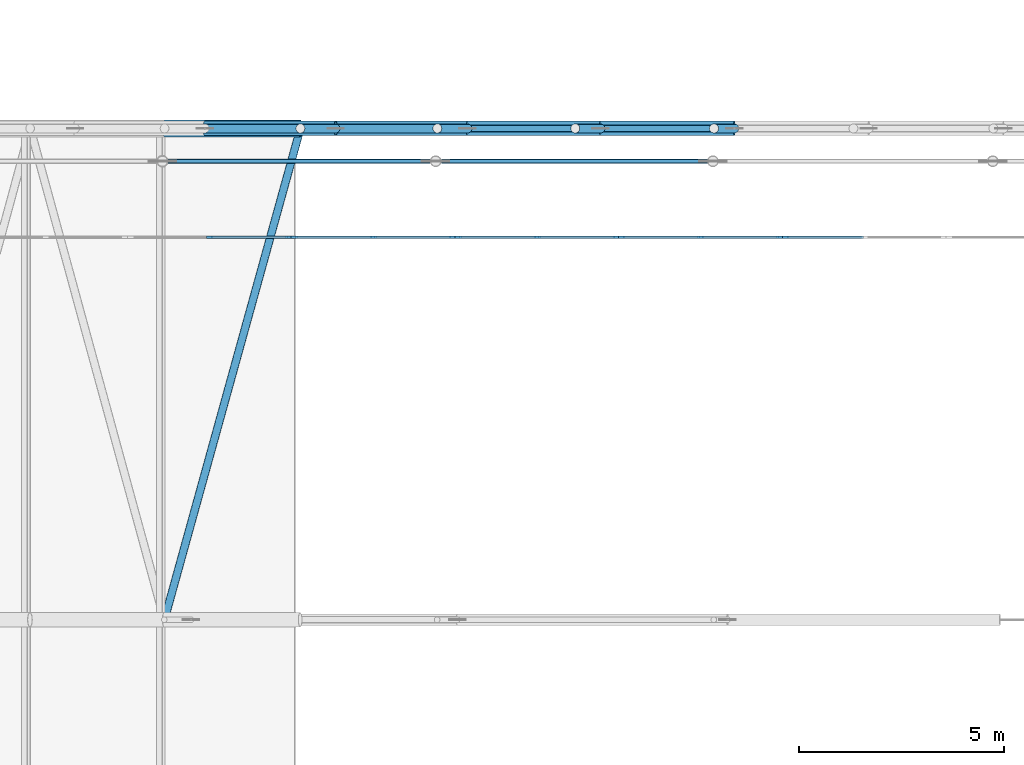
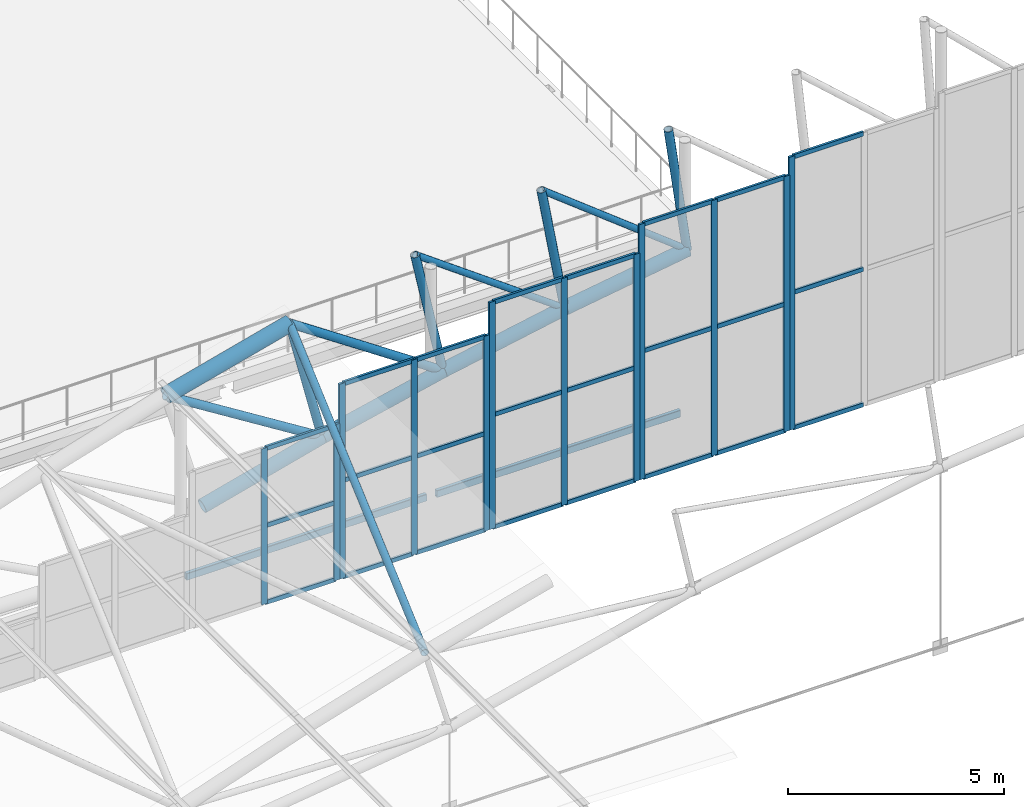
# One storey, part 177 of 321: 52 members, 5 elements without a shape of their own.
"""IFC4 building model written with IfcOpenShell, lengths in metres."""

from ifc_helpers import new_model, si_unit, direction, frame, origin, origin_2d, place, context, subcontext, project, spatial, rectangle, hollow_rectangle, hollow_circle, extrude, material, layer, layer_set, material_profile, profile_set, type_object, element, aggregate, save


model = new_model("IFC4")

# Units and contexts
model_context = context("Model", 3, precision=1e-05, world=origin(), true_north=direction((0.0, 1.0)))
body_context = subcontext(model_context, "Body", "Model", "MODEL_VIEW")
ifc_project = project(units=[si_unit("LENGTHUNIT", "METRE"), si_unit("AREAUNIT", "SQUARE_METRE"), si_unit("VOLUMEUNIT", "CUBIC_METRE"), si_unit("PLANEANGLEUNIT", "RADIAN"), si_unit("MASSUNIT", "GRAM", prefix="KILO")], contexts=[model_context])

# Site, building, storey
site_placement = place(None, origin())
site = spatial("IfcSite", under=ifc_project, at=site_placement, CompositionType="ELEMENT")
building_placement = place(site_placement, origin())
building = spatial("IfcBuilding", under=site, at=building_placement, Name="Ravi Spectrum Wholesale Market", CompositionType="ELEMENT")
storey_placement = place(building_placement, frame((0.0, 0.0, 10.800048828125)))
storey = spatial("IfcBuildingStorey", under=building, at=storey_placement, Name="L02", CompositionType="ELEMENT", Elevation=10.800048828125)

# Members
ifc_material_1 = material(Name="Steel S355", Category="steel")
ifc_material_profile_1 = material_profile(ifc_material_1, hollow_circle(Radius=0.084228515625, WallThickness=0.00634765625, at=origin_2d()))
ifc_profile_set_1 = profile_set([ifc_material_profile_1], Name="Steel S355")
member_type_1 = type_object("IfcMemberType", Name="CHS 168.3x6.3 brace", PredefinedType="BRACE", material=ifc_profile_set_1)
for number, where, z_axis, x_axis, name in (
    (1, (49.563720703125, 198.0, 6.27734375), (0.808703958366, 0.0, -0.588215868303), (0.0, 1.0, 0.0), "H1-MB-L02-1211"),
    (2, (52.9326171875, 198.0, 6.92431640625), (0.787944778548, 0.0, -0.615745910225), (0.0, 1.0, 0.0), "H1-MB-L02-1212"),
):
    element("IfcMember", number, at=place(storey_placement, frame(where, z_axis=z_axis, x_axis=x_axis)), inside=storey, type_object=member_type_1, Name=name, PredefinedType="BRACE", context=body_context, shape_type="SweptSolid", body=[
        extrude(hollow_circle(Radius=0.084228515625, WallThickness=0.00634765625, at=origin_2d()), origin(), (0.0, 0.0, 1.0), 4.9296875),
    ])
ifc_material_2 = material(Name="Steel S355", Category="steel")
ifc_material_profile_2 = material_profile(ifc_material_2, hollow_circle(Radius=0.096923828125, WallThickness=0.00634765625, at=origin_2d()))
ifc_profile_set_2 = profile_set([ifc_material_profile_2], Name="Steel S355")
member_type_2 = type_object("IfcMemberType", Name="CHS 193.7x6.3 brace", PredefinedType="BRACE", material=ifc_profile_set_2)
member_1_placement = place(storey_placement, frame((42.896240234375, 186.0, 4.661376953125), z_axis=(0.26624914117, 0.961478053543, 0.068347255841), x_axis=(-0.963731651121, 0.266873199532, 0.0)))
element("IfcMember", 3, at=member_1_placement, inside=storey, type_object=member_type_2, Name="H1-MB-L02-1708", PredefinedType="BRACE", context=body_context, shape_type="SweptSolid", body=[
    extrude(hollow_circle(Radius=0.096923828125, WallThickness=0.00634765625, at=origin_2d()), origin(), (0.0, 0.0, 1.0), 12.480712890625),
])
ifc_material_3 = material(Name="Steel S355", Category="steel")
ifc_material_profile_3 = material_profile(ifc_material_3, hollow_circle(Radius=0.109619140625, WallThickness=0.008056640625, at=origin_2d()))
ifc_profile_set_3 = profile_set([ifc_material_profile_3], Name="Steel S355")
member_type_3 = type_object("IfcMemberType", Name="CHS 219.1x8 brace", PredefinedType="BRACE", material=ifc_profile_set_3)
for number, where, z_axis, x_axis, name in (
    (4, (42.903076171875, 198.0, 4.63671875), (0.847368909482, 0.0, -0.531004643335), (0.0, 1.0, 0.0), "H1-MB-L02-1209"),
    (5, (46.21923828125, 198.0, 5.514404296875), (0.828544259915, 0.0, -0.559923574573), (0.0, 1.0, 0.0), "H1-MB-L02-1210"),
):
    element("IfcMember", number, at=place(storey_placement, frame(where, z_axis=z_axis, x_axis=x_axis)), inside=storey, type_object=member_type_3, Name=name, PredefinedType="BRACE", context=body_context, shape_type="SweptSolid", body=[
        extrude(hollow_circle(Radius=0.109619140625, WallThickness=0.008056640625, at=origin_2d()), origin(), (0.0, 0.0, 1.0), 4.9296875),
    ])
ifc_material_4 = material(Name="Steel S355", Category="steel")
ifc_material_profile_4 = material_profile(ifc_material_4, hollow_circle(Radius=0.109619140625, WallThickness=0.008056640625, at=origin_2d()))
ifc_profile_set_4 = profile_set([ifc_material_profile_4], Name="Steel S355")
member_type_4 = type_object("IfcMemberType", Name="CHS 219.1x8 post", PredefinedType="POST", material=ifc_profile_set_4)
member_2_placement = place(storey_placement, frame((46.21923828125, 198.0, 5.514404296875), z_axis=(0.239199072456, 0.0, -0.970970547306), x_axis=(0.0, 1.0, 0.0)))
element("IfcMember", 6, at=member_2_placement, inside=storey, type_object=member_type_4, Name="H1-MB-L02-1187", PredefinedType="POST", context=body_context, shape_type="SweptSolid", body=[
    extrude(hollow_circle(Radius=0.109619140625, WallThickness=0.008056640625, at=origin_2d()), origin(), (0.0, 0.0, 1.0), 3.599853515625),
])
for number, where, z_axis, x_axis, name in (
    (7, (49.563720703125, 198.0, 6.27734375), (0.205549060287, 0.0, -0.978646812602), (0.0, 1.0, 0.0), "H1-MB-L02-1188"),
    (8, (52.9326171875, 198.0, 6.92431640625), (0.171575852457, 0.0, -0.985170912509), (0.0, 1.0, 0.0), "H1-MB-L02-1189"),
):
    element("IfcMember", number, at=place(storey_placement, frame(where, z_axis=z_axis, x_axis=x_axis)), inside=storey, type_object=member_type_4, Name=name, PredefinedType="POST", context=body_context, shape_type="SweptSolid", body=[
        extrude(hollow_circle(Radius=0.109619140625, WallThickness=0.008056640625, at=origin_2d()), origin(), (0.0, 0.0, 1.0), 3.60009765625),
    ])
member_3_placement = place(storey_placement, frame((56.321533203125, 198.0, 7.45458984375), z_axis=(0.137603486835, 0.0, -0.990487395382), x_axis=(0.0, 1.0, 0.0)))
element("IfcMember", 9, at=member_3_placement, inside=storey, type_object=member_type_4, Name="H1-MB-L02-1190", PredefinedType="POST", context=body_context, shape_type="SweptSolid", body=[
    extrude(hollow_circle(Radius=0.109619140625, WallThickness=0.008056640625, at=origin_2d()), origin(), (0.0, 0.0, 1.0), 3.599853515625),
])
ifc_material_5 = material(Name="Steel S355", Category="steel")
ifc_material_profile_5 = material_profile(ifc_material_5, hollow_circle(Radius=0.177734375, WallThickness=0.012451171875, at=origin_2d()))
ifc_profile_set_5 = profile_set([ifc_material_profile_5], Name="Steel S355")
member_type_5 = type_object("IfcMemberType", Name="CHS 355.6x12.5 chord", PredefinedType="CHORD", material=ifc_profile_set_5)
for number, where, z_axis, x_axis, name in (
    (10, (43.88427734375, 198.0, 1.173095703125), (0.966710063159, 0.0, 0.255874292938), (0.0, 1.0, 0.0), "H1-MB-L02-1163"),
    (11, (47.080322265625, 198.0, 2.01904296875), (0.974967923727, 0.0, 0.222345559217), (0.0, 1.0, 0.0), "H1-MB-L02-1164"),
):
    element("IfcMember", number, at=place(storey_placement, frame(where, z_axis=z_axis, x_axis=x_axis)), inside=storey, type_object=member_type_5, Name=name, PredefinedType="CHORD", context=body_context, shape_type="SweptSolid", body=[
        extrude(hollow_circle(Radius=0.177734375, WallThickness=0.012451171875, at=origin_2d()), origin(), (0.0, 0.0, 1.0), 3.30615234375),
    ])
member_4_placement = place(storey_placement, frame((50.3037109375, 198.0, 2.754150390625), z_axis=(0.982051718756, 0.0, 0.188611828072), x_axis=(0.0, 1.0, 0.0)))
element("IfcMember", 12, at=member_4_placement, inside=storey, type_object=member_type_5, Name="H1-MB-L02-1165", PredefinedType="CHORD", context=body_context, shape_type="SweptSolid", body=[
    extrude(hollow_circle(Radius=0.177734375, WallThickness=0.012451171875, at=origin_2d()), origin(), (0.0, 0.0, 1.0), 3.305908203125),
])
member_5_placement = place(storey_placement, frame((53.55029296875, 198.0, 3.377685546875), z_axis=(0.987973992944, 0.0, 0.154620145084), x_axis=(0.0, 1.0, 0.0)))
element("IfcMember", 13, at=member_5_placement, inside=storey, type_object=member_type_5, Name="H1-MB-L02-1166", PredefinedType="CHORD", context=body_context, shape_type="SweptSolid", body=[
    extrude(hollow_circle(Radius=0.177734375, WallThickness=0.012451171875, at=origin_2d()), origin(), (0.0, 0.0, 1.0), 3.306396484375),
])
ifc_material_6 = material(Name="Steel S355", Category="steel")
ifc_material_profile_6 = material_profile(ifc_material_6, hollow_circle(Radius=0.203125, WallThickness=0.01611328125, at=origin_2d()))
ifc_profile_set_6 = profile_set([ifc_material_profile_6], Name="Steel S355")
member_type_6 = type_object("IfcMemberType", Name="CHS 406.4x16 chord", PredefinedType="CHORD", material=ifc_profile_set_6)
member_6_placement = place(storey_placement, frame((42.903076171875, 198.0, 4.63671875), z_axis=(0.966714030155, 0.0, 0.255859304896), x_axis=(0.0, 1.0, 0.0)))
element("IfcMember", 14, at=member_6_placement, inside=storey, type_object=member_type_6, Name="H1-MB-L02-1139", PredefinedType="CHORD", context=body_context, shape_type="SweptSolid", body=[
    extrude(hollow_circle(Radius=0.203125, WallThickness=0.01611328125, at=origin_2d()), origin(), (0.0, 0.0, 1.0), 3.430419921875),
])

# Curtain wall, members
ifc_material_7 = material(Name="Aluminium 6063-T6", Category="aluminium")
ifc_layer = layer(ifc_material_7, 0.14990234375)
ifc_layer_set = layer_set([ifc_layer], Name="Aluminium 6063-T6")
curtain_wall_type = type_object("IfcCurtainWallType", Name="Curtain wall 150", PredefinedType="NOTDEFINED", material=ifc_layer_set)
curtain_wall_1_placement = place(storey_placement, origin())
curtain_wall_1 = element("IfcCurtainWall", 15, at=curtain_wall_1_placement, inside=storey, type_object=curtain_wall_type, Name="H1-CW-L02-003", PredefinedType="NOTDEFINED")
ifc_material_8 = material(Name="Aluminium 6063-T6", Category="aluminium")
ifc_material_profile_7 = material_profile(ifc_material_8, rectangle(XDim=0.06005859375, YDim=0.159912109375, at=origin_2d()))
ifc_profile_set_7 = profile_set([ifc_material_profile_7], Name="Aluminium 6063-T6")
member_type_7 = type_object("IfcMemberType", Name="Mullion 60 x 160", PredefinedType="MULLION", material=ifc_profile_set_7)
member_7_placement = place(storey_placement, frame((44.0, 195.340087890625, 0.0), z_axis=(0.0, 0.0, 1.0), x_axis=(0.0, 1.0, 0.0)))
member_7 = element("IfcMember", 16, at=member_7_placement, type_object=member_type_7, Name="H1-CW-L02-003 mullion 2", PredefinedType="MULLION", context=body_context, shape_type="SweptSolid", body=[
    extrude(rectangle(XDim=0.06005859375, YDim=0.159912109375, at=origin_2d()), origin(), (0.0, 0.0, 1.0), 4.39990234375),
])
member_8_placement = place(storey_placement, frame((45.929931640625, 195.340087890625, 0.0), z_axis=(0.0, 0.0, 1.0), x_axis=(0.0, 1.0, 0.0)))
member_8 = element("IfcMember", 17, at=member_8_placement, type_object=member_type_7, Name="H1-CW-L02-003 mullion 3", PredefinedType="MULLION", context=body_context, shape_type="SweptSolid", body=[
    extrude(rectangle(XDim=0.06005859375, YDim=0.159912109375, at=origin_2d()), origin(), (0.0, 0.0, 1.0), 4.39990234375),
])

curtain_wall_2_placement = place(storey_placement, origin())
curtain_wall_2 = element("IfcCurtainWall", 18, at=curtain_wall_2_placement, inside=storey, type_object=curtain_wall_type, Name="H1-CW-L02-004", PredefinedType="NOTDEFINED")
member_9_placement = place(storey_placement, frame((46.070068359375, 195.340087890625, 0.0), z_axis=(0.0, 0.0, 1.0), x_axis=(0.0, 1.0, 0.0)))
member_9 = element("IfcMember", 19, at=member_9_placement, type_object=member_type_7, Name="H1-CW-L02-004 mullion 1", PredefinedType="MULLION", context=body_context, shape_type="SweptSolid", body=[
    extrude(rectangle(XDim=0.06005859375, YDim=0.159912109375, at=origin_2d()), origin(), (0.0, 0.0, 1.0), 5.5),
])
member_10_placement = place(storey_placement, frame((48.0, 195.340087890625, 0.0), z_axis=(0.0, 0.0, 1.0), x_axis=(0.0, 1.0, 0.0)))
member_10 = element("IfcMember", 20, at=member_10_placement, type_object=member_type_7, Name="H1-CW-L02-004 mullion 2", PredefinedType="MULLION", context=body_context, shape_type="SweptSolid", body=[
    extrude(rectangle(XDim=0.06005859375, YDim=0.159912109375, at=origin_2d()), origin(), (0.0, 0.0, 1.0), 5.5),
])
member_11_placement = place(storey_placement, frame((49.929931640625, 195.340087890625, 0.0), z_axis=(0.0, 0.0, 1.0), x_axis=(0.0, 1.0, 0.0)))
member_11 = element("IfcMember", 21, at=member_11_placement, type_object=member_type_7, Name="H1-CW-L02-004 mullion 3", PredefinedType="MULLION", context=body_context, shape_type="SweptSolid", body=[
    extrude(rectangle(XDim=0.06005859375, YDim=0.159912109375, at=origin_2d()), origin(), (0.0, 0.0, 1.0), 5.5),
])

curtain_wall_3_placement = place(storey_placement, origin())
curtain_wall_3 = element("IfcCurtainWall", 22, at=curtain_wall_3_placement, inside=storey, type_object=curtain_wall_type, Name="H1-CW-L02-005", PredefinedType="NOTDEFINED")
member_12_placement = place(storey_placement, frame((50.070068359375, 195.340087890625, 0.0), z_axis=(0.0, 0.0, 1.0), x_axis=(0.0, 1.0, 0.0)))
member_12 = element("IfcMember", 23, at=member_12_placement, type_object=member_type_7, Name="H1-CW-L02-005 mullion 1", PredefinedType="MULLION", context=body_context, shape_type="SweptSolid", body=[
    extrude(rectangle(XDim=0.06005859375, YDim=0.159912109375, at=origin_2d()), origin(), (0.0, 0.0, 1.0), 6.39990234375),
])
member_13_placement = place(storey_placement, frame((52.0, 195.340087890625, 0.0), z_axis=(0.0, 0.0, 1.0), x_axis=(0.0, 1.0, 0.0)))
member_13 = element("IfcMember", 24, at=member_13_placement, type_object=member_type_7, Name="H1-CW-L02-005 mullion 2", PredefinedType="MULLION", context=body_context, shape_type="SweptSolid", body=[
    extrude(rectangle(XDim=0.06005859375, YDim=0.159912109375, at=origin_2d()), origin(), (0.0, 0.0, 1.0), 6.39990234375),
])
member_14_placement = place(storey_placement, frame((53.929931640625, 195.340087890625, 0.0), z_axis=(0.0, 0.0, 1.0), x_axis=(0.0, 1.0, 0.0)))
member_14 = element("IfcMember", 25, at=member_14_placement, type_object=member_type_7, Name="H1-CW-L02-005 mullion 3", PredefinedType="MULLION", context=body_context, shape_type="SweptSolid", body=[
    extrude(rectangle(XDim=0.06005859375, YDim=0.159912109375, at=origin_2d()), origin(), (0.0, 0.0, 1.0), 6.39990234375),
])

curtain_wall_4_placement = place(storey_placement, origin())
curtain_wall_4 = element("IfcCurtainWall", 26, at=curtain_wall_4_placement, inside=storey, type_object=curtain_wall_type, Name="H1-CW-L02-006", PredefinedType="NOTDEFINED")
member_15_placement = place(storey_placement, frame((54.070068359375, 195.340087890625, 0.0), z_axis=(0.0, 0.0, 1.0), x_axis=(0.0, 1.0, 0.0)))
member_15 = element("IfcMember", 27, at=member_15_placement, type_object=member_type_7, Name="H1-CW-L02-006 mullion 1", PredefinedType="MULLION", context=body_context, shape_type="SweptSolid", body=[
    extrude(rectangle(XDim=0.06005859375, YDim=0.159912109375, at=origin_2d()), origin(), (0.0, 0.0, 1.0), 7.199951171875),
])
member_16_placement = place(storey_placement, frame((56.0, 195.340087890625, 0.0), z_axis=(0.0, 0.0, 1.0), x_axis=(0.0, 1.0, 0.0)))
member_16 = element("IfcMember", 28, at=member_16_placement, type_object=member_type_7, Name="H1-CW-L02-006 mullion 2", PredefinedType="MULLION", context=body_context, shape_type="SweptSolid", body=[
    extrude(rectangle(XDim=0.06005859375, YDim=0.159912109375, at=origin_2d()), origin(), (0.0, 0.0, 1.0), 7.199951171875),
])
member_17_placement = place(storey_placement, frame((57.929931640625, 195.340087890625, 0.0), z_axis=(0.0, 0.0, 1.0), x_axis=(0.0, 1.0, 0.0)))
member_17 = element("IfcMember", 29, at=member_17_placement, type_object=member_type_7, Name="H1-CW-L02-006 mullion 3", PredefinedType="MULLION", context=body_context, shape_type="SweptSolid", body=[
    extrude(rectangle(XDim=0.06005859375, YDim=0.159912109375, at=origin_2d()), origin(), (0.0, 0.0, 1.0), 7.199951171875),
])

# Curtain wall, member
curtain_wall_5_placement = place(storey_placement, origin())
curtain_wall_5 = element("IfcCurtainWall", 30, at=curtain_wall_5_placement, inside=storey, type_object=curtain_wall_type, Name="H1-CW-L02-007", PredefinedType="NOTDEFINED")
member_18_placement = place(storey_placement, frame((58.070068359375, 195.340087890625, 0.0), z_axis=(0.0, 0.0, 1.0), x_axis=(0.0, 1.0, 0.0)))
member_18 = element("IfcMember", 31, at=member_18_placement, type_object=member_type_7, Name="H1-CW-L02-007 mullion 1", PredefinedType="MULLION", context=body_context, shape_type="SweptSolid", body=[
    extrude(rectangle(XDim=0.06005859375, YDim=0.159912109375, at=origin_2d()), origin(), (0.0, 0.0, 1.0), 7.699951171875),
])

# Members
ifc_material_9 = material(Name="Steel S355", Category="steel")
ifc_material_profile_8 = material_profile(ifc_material_9, hollow_rectangle(XDim=0.10009765625, YDim=0.199951171875, WallThickness=0.00634765625, InnerFilletRadius=0.00634765625, OuterFilletRadius=0.0126953125, at=origin_2d()))
ifc_profile_set_8 = profile_set([ifc_material_profile_8], Name="Steel S355")
member_type_8 = type_object("IfcMemberType", Name="RHS 200x100x6.3 strut", PredefinedType="STRUT", material=ifc_profile_set_8)
member_19_placement = place(storey_placement, frame((42.984375, 197.199951171875, 0.0), z_axis=(1.0, 0.0, 0.0), x_axis=(0.0, 1.0, 0.0)))
element("IfcMember", 32, at=member_19_placement, inside=storey, type_object=member_type_8, Name="H1-MB-L02-1754", PredefinedType="STRUT", context=body_context, shape_type="SweptSolid", body=[
    extrude(hollow_rectangle(XDim=0.10009765625, YDim=0.199951171875, WallThickness=0.00634765625, InnerFilletRadius=0.00634765625, OuterFilletRadius=0.0126953125, at=origin_2d()), origin(), (0.0, 0.0, 1.0), 6.401123046875),
])
member_20_placement = place(storey_placement, frame((49.658447265625, 197.199951171875, 0.0), z_axis=(1.0, 0.0, 0.0), x_axis=(0.0, 1.0, 0.0)))
element("IfcMember", 33, at=member_20_placement, inside=storey, type_object=member_type_8, Name="H1-MB-L02-1755", PredefinedType="STRUT", context=body_context, shape_type="SweptSolid", body=[
    extrude(hollow_rectangle(XDim=0.10009765625, YDim=0.199951171875, WallThickness=0.00634765625, InnerFilletRadius=0.00634765625, OuterFilletRadius=0.0126953125, at=origin_2d()), origin(), (0.0, 0.0, 1.0), 6.498779296875),
])

# Member
ifc_material_10 = material(Name="Aluminium 6063-T6", Category="aluminium")
ifc_material_profile_9 = material_profile(ifc_material_10, rectangle(XDim=0.06005859375, YDim=0.1201171875, at=origin_2d()))
ifc_profile_set_9 = profile_set([ifc_material_profile_9], Name="Aluminium 6063-T6")
member_type_9 = type_object("IfcMemberType", Name="Transom 60 x 120", PredefinedType="USERDEFINED", material=ifc_profile_set_9)
member_21_placement = place(storey_placement, frame((44.030029296875, 195.340087890625, 0.030029296875), z_axis=(1.0, 0.0, 0.0), x_axis=(0.0, 1.0, 0.0)))
member_21 = element("IfcMember", 34, at=member_21_placement, type_object=member_type_9, Name="H1-CW-L02-003 transom 2.1", ObjectType="TRANSOM", PredefinedType="USERDEFINED", context=body_context, shape_type="SweptSolid", body=[
    extrude(rectangle(XDim=0.06005859375, YDim=0.1201171875, at=origin_2d()), origin(), (0.0, 0.0, 1.0), 1.869873046875),
])

member_22_placement = place(storey_placement, frame((44.030029296875, 195.340087890625, 2.199951171875), z_axis=(1.0, 0.0, 0.0), x_axis=(0.0, 1.0, 0.0)))
member_22 = element("IfcMember", 35, at=member_22_placement, type_object=member_type_9, Name="H1-CW-L02-003 transom 2.2", ObjectType="TRANSOM", PredefinedType="USERDEFINED", context=body_context, shape_type="SweptSolid", body=[
    extrude(rectangle(XDim=0.06005859375, YDim=0.1201171875, at=origin_2d()), origin(), (0.0, 0.0, 1.0), 1.869873046875),
])

member_23_placement = place(storey_placement, frame((44.030029296875, 195.340087890625, 4.369873046875), z_axis=(1.0, 0.0, 0.0), x_axis=(0.0, 1.0, 0.0)))
member_23 = element("IfcMember", 36, at=member_23_placement, type_object=member_type_9, Name="H1-CW-L02-003 transom 2.3", ObjectType="TRANSOM", PredefinedType="USERDEFINED", context=body_context, shape_type="SweptSolid", body=[
    extrude(rectangle(XDim=0.06005859375, YDim=0.1201171875, at=origin_2d()), origin(), (0.0, 0.0, 1.0), 1.869873046875),
])

aggregate(curtain_wall_1, [member_7, member_8, member_21, member_22, member_23])

member_24_placement = place(storey_placement, frame((46.10009765625, 195.340087890625, 0.030029296875), z_axis=(1.0, 0.0, 0.0), x_axis=(0.0, 1.0, 0.0)))
member_24 = element("IfcMember", 37, at=member_24_placement, type_object=member_type_9, Name="H1-CW-L02-004 transom 1.1", ObjectType="TRANSOM", PredefinedType="USERDEFINED", context=body_context, shape_type="SweptSolid", body=[
    extrude(rectangle(XDim=0.06005859375, YDim=0.1201171875, at=origin_2d()), origin(), (0.0, 0.0, 1.0), 1.869873046875),
])

member_25_placement = place(storey_placement, frame((46.10009765625, 195.340087890625, 2.75), z_axis=(1.0, 0.0, 0.0), x_axis=(0.0, 1.0, 0.0)))
member_25 = element("IfcMember", 38, at=member_25_placement, type_object=member_type_9, Name="H1-CW-L02-004 transom 1.2", ObjectType="TRANSOM", PredefinedType="USERDEFINED", context=body_context, shape_type="SweptSolid", body=[
    extrude(rectangle(XDim=0.06005859375, YDim=0.1201171875, at=origin_2d()), origin(), (0.0, 0.0, 1.0), 1.869873046875),
])

member_26_placement = place(storey_placement, frame((46.10009765625, 195.340087890625, 5.469970703125), z_axis=(1.0, 0.0, 0.0), x_axis=(0.0, 1.0, 0.0)))
member_26 = element("IfcMember", 39, at=member_26_placement, type_object=member_type_9, Name="H1-CW-L02-004 transom 1.3", ObjectType="TRANSOM", PredefinedType="USERDEFINED", context=body_context, shape_type="SweptSolid", body=[
    extrude(rectangle(XDim=0.06005859375, YDim=0.1201171875, at=origin_2d()), origin(), (0.0, 0.0, 1.0), 1.869873046875),
])

member_27_placement = place(storey_placement, frame((48.030029296875, 195.340087890625, 0.030029296875), z_axis=(1.0, 0.0, 0.0), x_axis=(0.0, 1.0, 0.0)))
member_27 = element("IfcMember", 40, at=member_27_placement, type_object=member_type_9, Name="H1-CW-L02-004 transom 2.1", ObjectType="TRANSOM", PredefinedType="USERDEFINED", context=body_context, shape_type="SweptSolid", body=[
    extrude(rectangle(XDim=0.06005859375, YDim=0.1201171875, at=origin_2d()), origin(), (0.0, 0.0, 1.0), 1.869873046875),
])

member_28_placement = place(storey_placement, frame((48.030029296875, 195.340087890625, 2.75), z_axis=(1.0, 0.0, 0.0), x_axis=(0.0, 1.0, 0.0)))
member_28 = element("IfcMember", 41, at=member_28_placement, type_object=member_type_9, Name="H1-CW-L02-004 transom 2.2", ObjectType="TRANSOM", PredefinedType="USERDEFINED", context=body_context, shape_type="SweptSolid", body=[
    extrude(rectangle(XDim=0.06005859375, YDim=0.1201171875, at=origin_2d()), origin(), (0.0, 0.0, 1.0), 1.869873046875),
])

member_29_placement = place(storey_placement, frame((48.030029296875, 195.340087890625, 5.469970703125), z_axis=(1.0, 0.0, 0.0), x_axis=(0.0, 1.0, 0.0)))
member_29 = element("IfcMember", 42, at=member_29_placement, type_object=member_type_9, Name="H1-CW-L02-004 transom 2.3", ObjectType="TRANSOM", PredefinedType="USERDEFINED", context=body_context, shape_type="SweptSolid", body=[
    extrude(rectangle(XDim=0.06005859375, YDim=0.1201171875, at=origin_2d()), origin(), (0.0, 0.0, 1.0), 1.869873046875),
])

aggregate(curtain_wall_2, [member_9, member_10, member_11, member_24, member_25, member_26, member_27, member_28, member_29])

member_30_placement = place(storey_placement, frame((50.10009765625, 195.340087890625, 0.030029296875), z_axis=(1.0, 0.0, 0.0), x_axis=(0.0, 1.0, 0.0)))
member_30 = element("IfcMember", 43, at=member_30_placement, type_object=member_type_9, Name="H1-CW-L02-005 transom 1.1", ObjectType="TRANSOM", PredefinedType="USERDEFINED", context=body_context, shape_type="SweptSolid", body=[
    extrude(rectangle(XDim=0.06005859375, YDim=0.1201171875, at=origin_2d()), origin(), (0.0, 0.0, 1.0), 1.869873046875),
])

member_31_placement = place(storey_placement, frame((50.10009765625, 195.340087890625, 3.199951171875), z_axis=(1.0, 0.0, 0.0), x_axis=(0.0, 1.0, 0.0)))
member_31 = element("IfcMember", 44, at=member_31_placement, type_object=member_type_9, Name="H1-CW-L02-005 transom 1.2", ObjectType="TRANSOM", PredefinedType="USERDEFINED", context=body_context, shape_type="SweptSolid", body=[
    extrude(rectangle(XDim=0.06005859375, YDim=0.1201171875, at=origin_2d()), origin(), (0.0, 0.0, 1.0), 1.869873046875),
])

member_32_placement = place(storey_placement, frame((50.10009765625, 195.340087890625, 6.369873046875), z_axis=(1.0, 0.0, 0.0), x_axis=(0.0, 1.0, 0.0)))
member_32 = element("IfcMember", 45, at=member_32_placement, type_object=member_type_9, Name="H1-CW-L02-005 transom 1.3", ObjectType="TRANSOM", PredefinedType="USERDEFINED", context=body_context, shape_type="SweptSolid", body=[
    extrude(rectangle(XDim=0.06005859375, YDim=0.1201171875, at=origin_2d()), origin(), (0.0, 0.0, 1.0), 1.869873046875),
])

member_33_placement = place(storey_placement, frame((52.030029296875, 195.340087890625, 0.030029296875), z_axis=(1.0, 0.0, 0.0), x_axis=(0.0, 1.0, 0.0)))
member_33 = element("IfcMember", 46, at=member_33_placement, type_object=member_type_9, Name="H1-CW-L02-005 transom 2.1", ObjectType="TRANSOM", PredefinedType="USERDEFINED", context=body_context, shape_type="SweptSolid", body=[
    extrude(rectangle(XDim=0.06005859375, YDim=0.1201171875, at=origin_2d()), origin(), (0.0, 0.0, 1.0), 1.869873046875),
])

member_34_placement = place(storey_placement, frame((52.030029296875, 195.340087890625, 3.199951171875), z_axis=(1.0, 0.0, 0.0), x_axis=(0.0, 1.0, 0.0)))
member_34 = element("IfcMember", 47, at=member_34_placement, type_object=member_type_9, Name="H1-CW-L02-005 transom 2.2", ObjectType="TRANSOM", PredefinedType="USERDEFINED", context=body_context, shape_type="SweptSolid", body=[
    extrude(rectangle(XDim=0.06005859375, YDim=0.1201171875, at=origin_2d()), origin(), (0.0, 0.0, 1.0), 1.869873046875),
])

member_35_placement = place(storey_placement, frame((52.030029296875, 195.340087890625, 6.369873046875), z_axis=(1.0, 0.0, 0.0), x_axis=(0.0, 1.0, 0.0)))
member_35 = element("IfcMember", 48, at=member_35_placement, type_object=member_type_9, Name="H1-CW-L02-005 transom 2.3", ObjectType="TRANSOM", PredefinedType="USERDEFINED", context=body_context, shape_type="SweptSolid", body=[
    extrude(rectangle(XDim=0.06005859375, YDim=0.1201171875, at=origin_2d()), origin(), (0.0, 0.0, 1.0), 1.869873046875),
])

aggregate(curtain_wall_3, [member_12, member_13, member_14, member_30, member_31, member_32, member_33, member_34, member_35])

member_36_placement = place(storey_placement, frame((54.10009765625, 195.340087890625, 0.030029296875), z_axis=(1.0, 0.0, 0.0), x_axis=(0.0, 1.0, 0.0)))
member_36 = element("IfcMember", 49, at=member_36_placement, type_object=member_type_9, Name="H1-CW-L02-006 transom 1.1", ObjectType="TRANSOM", PredefinedType="USERDEFINED", context=body_context, shape_type="SweptSolid", body=[
    extrude(rectangle(XDim=0.06005859375, YDim=0.1201171875, at=origin_2d()), origin(), (0.0, 0.0, 1.0), 1.869873046875),
])

member_37_placement = place(storey_placement, frame((54.10009765625, 195.340087890625, 3.599853515625), z_axis=(1.0, 0.0, 0.0), x_axis=(0.0, 1.0, 0.0)))
member_37 = element("IfcMember", 50, at=member_37_placement, type_object=member_type_9, Name="H1-CW-L02-006 transom 1.2", ObjectType="TRANSOM", PredefinedType="USERDEFINED", context=body_context, shape_type="SweptSolid", body=[
    extrude(rectangle(XDim=0.06005859375, YDim=0.1201171875, at=origin_2d()), origin(), (0.0, 0.0, 1.0), 1.869873046875),
])

member_38_placement = place(storey_placement, frame((54.10009765625, 195.340087890625, 7.169921875), z_axis=(1.0, 0.0, 0.0), x_axis=(0.0, 1.0, 0.0)))
member_38 = element("IfcMember", 51, at=member_38_placement, type_object=member_type_9, Name="H1-CW-L02-006 transom 1.3", ObjectType="TRANSOM", PredefinedType="USERDEFINED", context=body_context, shape_type="SweptSolid", body=[
    extrude(rectangle(XDim=0.06005859375, YDim=0.1201171875, at=origin_2d()), origin(), (0.0, 0.0, 1.0), 1.869873046875),
])

member_39_placement = place(storey_placement, frame((56.030029296875, 195.340087890625, 0.030029296875), z_axis=(1.0, 0.0, 0.0), x_axis=(0.0, 1.0, 0.0)))
member_39 = element("IfcMember", 52, at=member_39_placement, type_object=member_type_9, Name="H1-CW-L02-006 transom 2.1", ObjectType="TRANSOM", PredefinedType="USERDEFINED", context=body_context, shape_type="SweptSolid", body=[
    extrude(rectangle(XDim=0.06005859375, YDim=0.1201171875, at=origin_2d()), origin(), (0.0, 0.0, 1.0), 1.869873046875),
])

member_40_placement = place(storey_placement, frame((56.030029296875, 195.340087890625, 3.599853515625), z_axis=(1.0, 0.0, 0.0), x_axis=(0.0, 1.0, 0.0)))
member_40 = element("IfcMember", 53, at=member_40_placement, type_object=member_type_9, Name="H1-CW-L02-006 transom 2.2", ObjectType="TRANSOM", PredefinedType="USERDEFINED", context=body_context, shape_type="SweptSolid", body=[
    extrude(rectangle(XDim=0.06005859375, YDim=0.1201171875, at=origin_2d()), origin(), (0.0, 0.0, 1.0), 1.869873046875),
])

member_41_placement = place(storey_placement, frame((56.030029296875, 195.340087890625, 7.169921875), z_axis=(1.0, 0.0, 0.0), x_axis=(0.0, 1.0, 0.0)))
member_41 = element("IfcMember", 54, at=member_41_placement, type_object=member_type_9, Name="H1-CW-L02-006 transom 2.3", ObjectType="TRANSOM", PredefinedType="USERDEFINED", context=body_context, shape_type="SweptSolid", body=[
    extrude(rectangle(XDim=0.06005859375, YDim=0.1201171875, at=origin_2d()), origin(), (0.0, 0.0, 1.0), 1.869873046875),
])

aggregate(curtain_wall_4, [member_15, member_16, member_17, member_36, member_37, member_38, member_39, member_40, member_41])

member_42_placement = place(storey_placement, frame((58.10009765625, 195.340087890625, 0.030029296875), z_axis=(1.0, 0.0, 0.0), x_axis=(0.0, 1.0, 0.0)))
member_42 = element("IfcMember", 55, at=member_42_placement, type_object=member_type_9, Name="H1-CW-L02-007 transom 1.1", ObjectType="TRANSOM", PredefinedType="USERDEFINED", context=body_context, shape_type="SweptSolid", body=[
    extrude(rectangle(XDim=0.06005859375, YDim=0.1201171875, at=origin_2d()), origin(), (0.0, 0.0, 1.0), 1.869873046875),
])

member_43_placement = place(storey_placement, frame((58.10009765625, 195.340087890625, 3.849853515625), z_axis=(1.0, 0.0, 0.0), x_axis=(0.0, 1.0, 0.0)))
member_43 = element("IfcMember", 56, at=member_43_placement, type_object=member_type_9, Name="H1-CW-L02-007 transom 1.2", ObjectType="TRANSOM", PredefinedType="USERDEFINED", context=body_context, shape_type="SweptSolid", body=[
    extrude(rectangle(XDim=0.06005859375, YDim=0.1201171875, at=origin_2d()), origin(), (0.0, 0.0, 1.0), 1.869873046875),
])

member_44_placement = place(storey_placement, frame((58.10009765625, 195.340087890625, 7.669921875), z_axis=(1.0, 0.0, 0.0), x_axis=(0.0, 1.0, 0.0)))
member_44 = element("IfcMember", 57, at=member_44_placement, type_object=member_type_9, Name="H1-CW-L02-007 transom 1.3", ObjectType="TRANSOM", PredefinedType="USERDEFINED", context=body_context, shape_type="SweptSolid", body=[
    extrude(rectangle(XDim=0.06005859375, YDim=0.1201171875, at=origin_2d()), origin(), (0.0, 0.0, 1.0), 1.869873046875),
])

aggregate(curtain_wall_5, [member_18, member_42, member_43, member_44])

save(model, "model.ifc")
